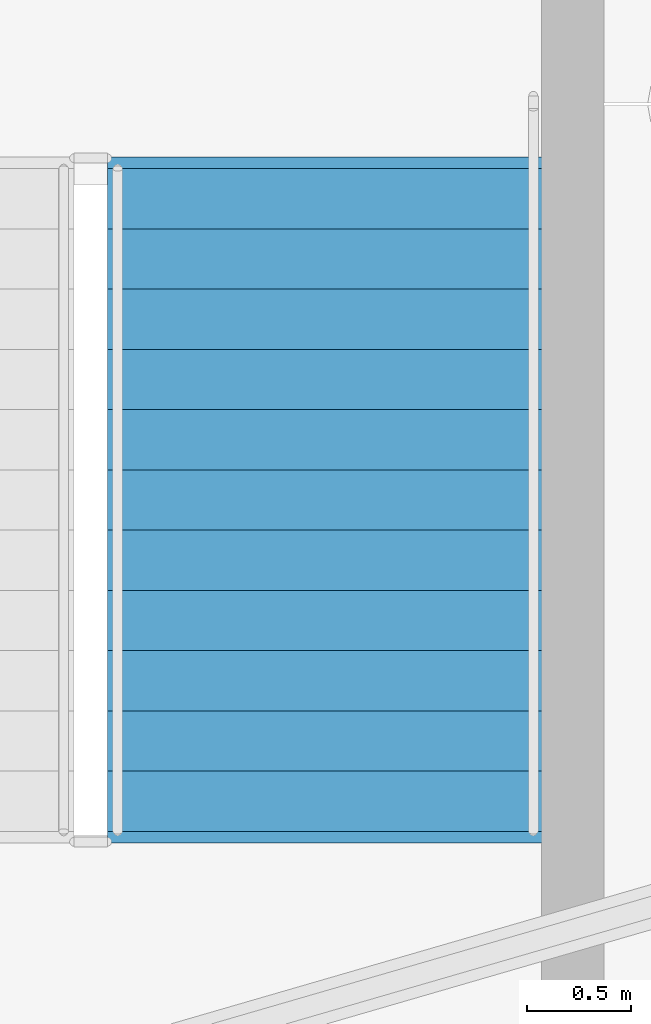
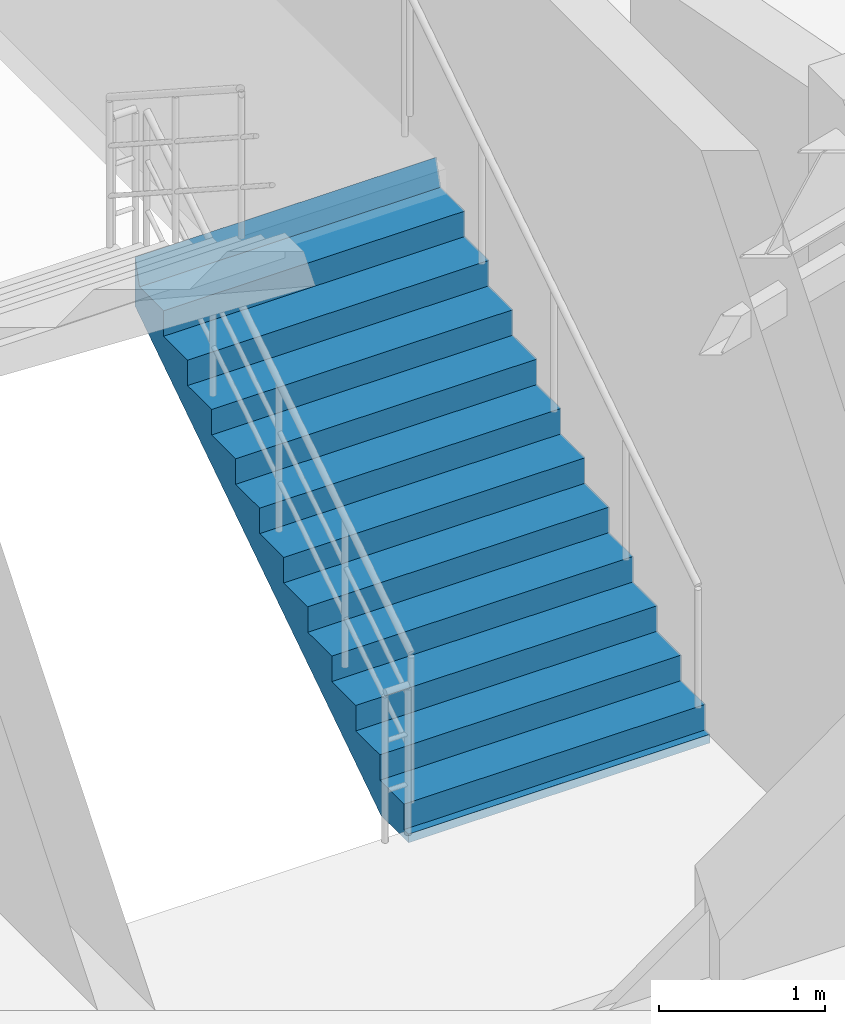
# One storey, part 95 of 112: 1 stair flight, 1 element without a shape of its own.
"""IFC4 building model written with IfcOpenShell, lengths in metres."""

from ifc_helpers import new_model, si_unit, direction, frame, origin, place, context, subcontext, project, spatial, polyline, outline, extrude, material, type_object, element, aggregate, save


model = new_model("IFC4")

# Units and contexts
model_context = context("Model", 3, precision=1e-05, world=origin(), true_north=direction((0.0, 1.0)))
body_context = subcontext(model_context, "Body", "Model", "MODEL_VIEW")
ifc_project = project(units=[si_unit("LENGTHUNIT", "METRE"), si_unit("AREAUNIT", "SQUARE_METRE"), si_unit("VOLUMEUNIT", "CUBIC_METRE"), si_unit("PLANEANGLEUNIT", "RADIAN"), si_unit("MASSUNIT", "GRAM", prefix="KILO")], contexts=[model_context])

# Site, building, storey
site_placement = place(None, origin())
site = spatial("IfcSite", under=ifc_project, at=site_placement, CompositionType="ELEMENT")
building_placement = place(site_placement, origin())
building = spatial("IfcBuilding", under=site, at=building_placement, Name="Cinderbank Siding Concert Hall", CompositionType="ELEMENT")
storey_placement = place(building_placement, frame((0.0, 0.0, 10.199951171875)))
storey = spatial("IfcBuildingStorey", under=building, at=storey_placement, Name="L03", CompositionType="ELEMENT", Elevation=10.199951171875)

# Stair, stair flight
ifc_material = material(Name="Reinforced concrete AS 3600 N50 (50 MPa)", Category="concrete")
stair_type = type_object("IfcStairType", Name="STR-D Dogleg Exit Stair 2100mm", PredefinedType="HALF_TURN_STAIR", material=ifc_material)
stair_placement = place(storey_placement, origin())
stair = element("IfcStair", 1, at=stair_placement, inside=storey, type_object=stair_type, Name="L03 West Drum Exit Stair ST-04", PredefinedType="HALF_TURN_STAIR")
stair_flight_type = type_object("IfcStairFlightType", Name="SFL-D Concrete Stair Flight 2100mm", PredefinedType="STRAIGHT", material=ifc_material)
stair_flight_placement = place(storey_placement, frame((100.85009765625, 40.5, 0.0), z_axis=(0.0, 0.0, 1.0), x_axis=(0.0, 1.0, 0.0)))
stair_flight = element("IfcStairFlight", 2, at=stair_flight_placement, type_object=stair_flight_type, Name="ST-04 flight 1", NumberOfRisers=12, NumberOfTreads=11, PredefinedType="STRAIGHT", RiserHeight=0.1875, TreadLength=0.29, context=body_context, shape_type="SweptSolid", body=[
    extrude(outline(polyline([(0.0, 0.0), (0.0, 0.1875), (0.2900390625, 0.1875), (0.2900390625, 0.375), (0.580078125, 0.375), (0.580078125, 0.5625), (0.8701171875, 0.5625), (0.8701171875, 0.75), (1.159912109375, 0.75), (1.159912109375, 0.9375), (1.449951171875, 0.9375), (1.449951171875, 1.125), (1.739990234375, 1.125), (1.739990234375, 1.3125), (2.030029296875, 1.3125), (2.030029296875, 1.5), (2.320068359375, 1.5), (2.320068359375, 1.6875), (2.610107421875, 1.6875), (2.610107421875, 1.875), (2.89990234375, 1.875), (2.89990234375, 2.0625), (3.18994140625, 2.0625), (3.244873046875, 2.25), (3.244873046875, 1.884033203125), (3.24462890625, 1.88427734375), (3.24462890625, 1.884521484375), (3.24462890625, 1.884765625), (3.24462890625, 1.885009765625), (3.24462890625, 1.88525390625), (3.24462890625, 1.885498046875), (3.24462890625, 1.8857421875), (3.24462890625, 1.885986328125), (3.24462890625, 1.88623046875), (3.24462890625, 1.886474609375), (3.24462890625, 1.88671875), (3.24462890625, 1.886962890625), (3.244384765625, 1.886962890625), (3.244384765625, 1.88671875), (3.244384765625, 1.886474609375), (3.244384765625, 1.88623046875), (3.244384765625, 1.885986328125), (3.244384765625, 1.8857421875), (3.244384765625, 1.885498046875), (3.244384765625, 1.88525390625), (3.244384765625, 1.885009765625), (3.244384765625, 1.884765625), (3.244384765625, 1.884521484375), (3.244384765625, 1.88427734375), (3.244384765625, 1.884033203125), (3.244140625, 1.88427734375), (3.244140625, 1.884521484375), (3.244140625, 1.884765625), (3.244140625, 1.885009765625), (3.244140625, 1.88525390625), (3.244140625, 1.885498046875), (3.244140625, 1.8857421875), (3.244140625, 1.885986328125), (3.244140625, 1.88623046875), (3.244140625, 1.886474609375), (3.244140625, 1.88671875), (3.244140625, 1.886962890625), (3.243896484375, 1.886962890625), (3.243896484375, 1.88671875), (3.243896484375, 1.886474609375), (3.243896484375, 1.88623046875), (3.243896484375, 1.885986328125), (3.243896484375, 1.8857421875), (3.243896484375, 1.885498046875), (3.243896484375, 1.88525390625), (3.243896484375, 1.885009765625), (3.243896484375, 1.884765625), (3.243896484375, 1.884521484375), (3.243896484375, 1.88427734375), (3.243896484375, 1.884033203125), (3.24365234375, 1.88427734375), (3.24365234375, 1.884521484375), (3.24365234375, 1.884765625), (3.24365234375, 1.885009765625), (3.24365234375, 1.88525390625), (3.24365234375, 1.885498046875), (3.24365234375, 1.8857421875), (3.24365234375, 1.885986328125), (3.24365234375, 1.88623046875), (3.24365234375, 1.886474609375), (3.24365234375, 1.88671875), (3.24365234375, 1.886962890625), (3.243408203125, 1.886962890625), (3.243408203125, 1.88671875), (3.243408203125, 1.886474609375), (3.243408203125, 1.88623046875), (3.243408203125, 1.885986328125), (3.243408203125, 1.8857421875), (3.243408203125, 1.885498046875), (3.243408203125, 1.88525390625), (3.243408203125, 1.885009765625), (3.243408203125, 1.884765625), (3.243408203125, 1.884521484375), (3.243408203125, 1.88427734375), (3.243408203125, 1.884033203125), (3.2431640625, 1.88427734375), (3.2431640625, 1.884521484375), (3.2431640625, 1.884765625), (3.2431640625, 1.885009765625), (3.2431640625, 1.88525390625), (3.2431640625, 1.885498046875), (3.2431640625, 1.8857421875), (3.2431640625, 1.885986328125), (3.2431640625, 1.88623046875), (3.2431640625, 1.886474609375), (3.2431640625, 1.88671875), (3.2431640625, 1.886962890625), (3.242919921875, 1.886962890625), (3.242919921875, 1.88671875), (3.242919921875, 1.886474609375), (3.242919921875, 1.88623046875), (3.242919921875, 1.885986328125), (3.242919921875, 1.8857421875), (3.242919921875, 1.885498046875), (3.242919921875, 1.88525390625), (3.242919921875, 1.885009765625), (3.242919921875, 1.884765625), (3.242919921875, 1.884521484375), (3.242919921875, 1.88427734375), (3.242919921875, 1.884033203125), (3.24267578125, 1.88427734375), (3.24267578125, 1.884521484375), (3.24267578125, 1.884765625), (3.24267578125, 1.885009765625), (3.24267578125, 1.88525390625), (3.24267578125, 1.885498046875), (3.24267578125, 1.8857421875), (3.24267578125, 1.885986328125), (3.24267578125, 1.88623046875), (3.24267578125, 1.886474609375), (3.24267578125, 1.88671875), (3.24267578125, 1.886962890625), (3.242431640625, 1.886962890625), (3.242431640625, 1.88671875), (3.242431640625, 1.886474609375), (3.242431640625, 1.88623046875), (3.242431640625, 1.885986328125), (3.242431640625, 1.8857421875), (3.242431640625, 1.885498046875), (3.242431640625, 1.88525390625), (3.242431640625, 1.885009765625), (3.242431640625, 1.884765625), (3.242431640625, 1.884521484375), (3.242431640625, 1.88427734375), (3.242431640625, 1.884033203125), (3.2421875, 1.88427734375), (3.2421875, 1.884521484375), (3.2421875, 1.884765625), (3.2421875, 1.885009765625), (3.2421875, 1.88525390625), (3.2421875, 1.885498046875), (3.2421875, 1.8857421875), (3.2421875, 1.885986328125), (3.2421875, 1.88623046875), (3.2421875, 1.886474609375), (3.2421875, 1.88671875), (3.2421875, 1.886962890625), (3.241943359375, 1.886962890625), (3.241943359375, 1.88671875), (3.241943359375, 1.886474609375), (3.241943359375, 1.88623046875), (3.241943359375, 1.885986328125), (3.241943359375, 1.8857421875), (3.241943359375, 1.885498046875), (3.241943359375, 1.88525390625), (3.241943359375, 1.885009765625), (3.241943359375, 1.884765625), (3.241943359375, 1.884521484375), (3.241943359375, 1.88427734375), (3.241943359375, 1.884033203125), (3.24169921875, 1.88427734375), (3.24169921875, 1.884521484375), (3.24169921875, 1.884765625), (3.24169921875, 1.885009765625), (3.24169921875, 1.88525390625), (3.24169921875, 1.885498046875), (3.24169921875, 1.8857421875), (3.24169921875, 1.885986328125), (3.24169921875, 1.88623046875), (3.24169921875, 1.886474609375), (3.24169921875, 1.88671875), (3.24169921875, 1.886962890625), (3.241455078125, 1.886962890625), (3.241455078125, 1.88671875), (3.241455078125, 1.886474609375), (3.241455078125, 1.88623046875), (3.241455078125, 1.885986328125), (3.241455078125, 1.8857421875), (3.241455078125, 1.885498046875), (3.241455078125, 1.88525390625), (3.241455078125, 1.885009765625), (3.241455078125, 1.884765625), (3.241455078125, 1.884521484375), (3.241455078125, 1.88427734375), (3.241455078125, 1.884033203125), (3.2412109375, 1.88427734375), (3.2412109375, 1.884521484375), (3.2412109375, 1.884765625), (3.2412109375, 1.885009765625), (3.2412109375, 1.88525390625), (3.2412109375, 1.885498046875), (3.2412109375, 1.8857421875), (3.2412109375, 1.885986328125), (3.2412109375, 1.88623046875), (3.2412109375, 1.886474609375), (3.2412109375, 1.88671875), (3.2412109375, 1.886962890625), (3.240966796875, 1.886962890625), (3.240966796875, 1.88671875), (3.240966796875, 1.886474609375), (3.240966796875, 1.88623046875), (3.240966796875, 1.885986328125), (3.240966796875, 1.8857421875), (3.240966796875, 1.885498046875), (3.240966796875, 1.88525390625), (3.240966796875, 1.885009765625), (3.240966796875, 1.884765625), (3.240966796875, 1.884521484375), (3.240966796875, 1.88427734375), (3.240966796875, 1.884033203125), (3.24072265625, 1.88427734375), (3.24072265625, 1.884521484375), (3.24072265625, 1.884765625), (3.24072265625, 1.885009765625), (3.24072265625, 1.88525390625), (3.24072265625, 1.885498046875), (3.24072265625, 1.8857421875), (3.24072265625, 1.885986328125), (3.24072265625, 1.88623046875), (3.24072265625, 1.886474609375), (3.24072265625, 1.88671875), (3.24072265625, 1.886962890625), (3.240478515625, 1.886962890625), (3.240478515625, 1.88671875), (3.240478515625, 1.886474609375), (3.240478515625, 1.88623046875), (3.240478515625, 1.885986328125), (3.240478515625, 1.8857421875), (3.240478515625, 1.885498046875), (3.240478515625, 1.88525390625), (3.240478515625, 1.885009765625), (3.240478515625, 1.884765625), (3.240478515625, 1.884521484375), (3.240478515625, 1.88427734375), (3.240478515625, 1.884033203125), (3.240234375, 1.88427734375), (3.240234375, 1.884521484375), (3.240234375, 1.884765625), (3.240234375, 1.885009765625), (3.240234375, 1.88525390625), (3.240234375, 1.885498046875), (3.240234375, 1.8857421875), (3.240234375, 1.885986328125), (3.240234375, 1.88623046875), (3.240234375, 1.886474609375), (3.240234375, 1.88671875), (3.240234375, 1.886962890625), (3.239990234375, 1.886962890625), (3.239990234375, 1.88671875), (3.239990234375, 1.886474609375), (3.239990234375, 1.88623046875), (3.239990234375, 1.885986328125), (3.239990234375, 1.8857421875), (3.239990234375, 1.885498046875), (3.239990234375, 1.88525390625), (3.239990234375, 1.885009765625), (3.239990234375, 1.884765625), (3.239990234375, 1.884521484375), (3.239990234375, 1.88427734375), (3.239990234375, 1.884033203125), (3.23974609375, 1.88427734375), (3.23974609375, 1.884521484375), (3.23974609375, 1.884765625), (3.23974609375, 1.885009765625), (3.23974609375, 1.88525390625), (3.23974609375, 1.885498046875), (3.23974609375, 1.8857421875), (3.23974609375, 1.885986328125), (3.23974609375, 1.88623046875), (3.23974609375, 1.886474609375), (3.23974609375, 1.88671875), (3.23974609375, 1.886962890625), (3.239501953125, 1.886962890625), (3.239501953125, 1.88671875), (3.239501953125, 1.886474609375), (3.239501953125, 1.88623046875), (3.239501953125, 1.885986328125), (3.239501953125, 1.8857421875), (3.239501953125, 1.885498046875), (3.239501953125, 1.88525390625), (3.239501953125, 1.885009765625), (3.239501953125, 1.884765625), (3.239501953125, 1.884521484375), (3.239501953125, 1.88427734375), (3.239501953125, 1.884033203125), (3.2392578125, 1.88427734375), (3.2392578125, 1.884521484375), (3.2392578125, 1.884765625), (3.2392578125, 1.885009765625), (3.2392578125, 1.88525390625), (3.2392578125, 1.885498046875), (3.2392578125, 1.8857421875), (3.2392578125, 1.885986328125), (3.2392578125, 1.88623046875), (3.2392578125, 1.886474609375), (3.2392578125, 1.88671875), (3.2392578125, 1.886962890625), (3.239013671875, 1.886962890625), (3.239013671875, 1.88671875), (3.239013671875, 1.886474609375), (3.239013671875, 1.88623046875), (3.239013671875, 1.885986328125), (3.239013671875, 1.8857421875), (3.239013671875, 1.885498046875), (3.239013671875, 1.88525390625), (3.239013671875, 1.885009765625), (3.239013671875, 1.884765625), (3.239013671875, 1.884521484375), (3.239013671875, 1.88427734375), (3.239013671875, 1.884033203125), (3.23876953125, 1.88427734375), (3.23876953125, 1.884521484375), (3.23876953125, 1.884765625), (3.23876953125, 1.885009765625), (3.23876953125, 1.88525390625), (3.23876953125, 1.885498046875), (3.23876953125, 1.8857421875), (3.23876953125, 1.885986328125), (3.23876953125, 1.88623046875), (3.23876953125, 1.886474609375), (3.23876953125, 1.88671875), (3.23876953125, 1.886962890625), (3.238525390625, 1.886962890625), (3.238525390625, 1.88671875), (3.238525390625, 1.886474609375), (3.238525390625, 1.88623046875), (3.238525390625, 1.885986328125), (3.238525390625, 1.8857421875), (3.238525390625, 1.885498046875), (3.238525390625, 1.88525390625), (3.238525390625, 1.885009765625), (3.238525390625, 1.884765625), (3.238525390625, 1.884521484375), (3.238525390625, 1.88427734375), (3.238525390625, 1.884033203125), (0.276123046875, -0.06396484375), (-0.048583984375, -0.063720703125), (-0.048583984375, -0.0634765625), (-0.048583984375, -0.063232421875), (-0.048583984375, -0.06298828125), (-0.048583984375, -0.062744140625), (-0.048583984375, -0.0625), (-0.048583984375, -0.062255859375), (-0.048583984375, -0.06201171875), (-0.048583984375, -0.061767578125), (-0.048583984375, -0.0615234375), (-0.048583984375, -0.061279296875), (-0.048583984375, -0.06103515625), (-0.048828125, -0.06103515625), (-0.048828125, -0.061279296875), (-0.048828125, -0.0615234375), (-0.048828125, -0.061767578125), (-0.048828125, -0.06201171875), (-0.048828125, -0.062255859375), (-0.048828125, -0.0625), (-0.048828125, -0.062744140625), (-0.048828125, -0.06298828125), (-0.048828125, -0.063232421875), (-0.048828125, -0.0634765625), (-0.048828125, -0.063720703125), (-0.048828125, -0.06396484375), (-0.049072265625, -0.063720703125), (-0.049072265625, -0.0634765625), (-0.049072265625, -0.063232421875), (-0.049072265625, -0.06298828125), (-0.049072265625, -0.062744140625), (-0.049072265625, -0.0625), (-0.049072265625, -0.062255859375), (-0.049072265625, -0.06201171875), (-0.049072265625, -0.061767578125), (-0.049072265625, -0.0615234375), (-0.049072265625, -0.061279296875), (-0.049072265625, -0.06103515625), (-0.04931640625, -0.06103515625), (-0.04931640625, -0.061279296875), (-0.04931640625, -0.0615234375), (-0.04931640625, -0.061767578125), (-0.04931640625, -0.06201171875), (-0.04931640625, -0.062255859375), (-0.04931640625, -0.0625), (-0.04931640625, -0.062744140625), (-0.04931640625, -0.06298828125), (-0.04931640625, -0.063232421875), (-0.04931640625, -0.0634765625), (-0.04931640625, -0.063720703125), (-0.04931640625, -0.06396484375), (-0.049560546875, -0.063720703125), (-0.049560546875, -0.0634765625), (-0.049560546875, -0.063232421875), (-0.049560546875, -0.06298828125), (-0.049560546875, -0.062744140625), (-0.049560546875, -0.0625), (-0.049560546875, -0.062255859375), (-0.049560546875, -0.06201171875), (-0.049560546875, -0.061767578125), (-0.049560546875, -0.0615234375), (-0.049560546875, -0.061279296875), (-0.049560546875, -0.06103515625), (-0.0498046875, -0.06103515625), (-0.0498046875, -0.061279296875), (-0.0498046875, -0.0615234375), (-0.0498046875, -0.061767578125), (-0.0498046875, -0.06201171875), (-0.0498046875, -0.062255859375), (-0.0498046875, -0.0625), (-0.0498046875, -0.062744140625), (-0.0498046875, -0.06298828125), (-0.0498046875, -0.063232421875), (-0.0498046875, -0.0634765625), (-0.0498046875, -0.063720703125), (-0.0498046875, -0.06396484375), (-0.050048828125, -0.063720703125), (-0.050048828125, -0.0634765625), (-0.050048828125, -0.063232421875), (-0.050048828125, -0.06298828125), (-0.050048828125, -0.062744140625), (-0.050048828125, -0.0625), (-0.050048828125, -0.062255859375), (-0.050048828125, -0.06201171875), (-0.050048828125, -0.061767578125), (-0.050048828125, -0.0615234375), (-0.050048828125, -0.061279296875), (-0.050048828125, -0.06103515625), (-0.05029296875, -0.06103515625), (-0.05029296875, -0.061279296875), (-0.05029296875, -0.0615234375), (-0.05029296875, -0.061767578125), (-0.05029296875, -0.06201171875), (-0.05029296875, -0.062255859375), (-0.05029296875, -0.0625), (-0.05029296875, -0.062744140625), (-0.05029296875, -0.06298828125), (-0.05029296875, -0.063232421875), (-0.05029296875, -0.0634765625), (-0.05029296875, -0.063720703125), (-0.05029296875, -0.06396484375), (-0.050537109375, -0.063720703125), (-0.050537109375, -0.0634765625), (-0.050537109375, -0.063232421875), (-0.050537109375, -0.06298828125), (-0.050537109375, -0.062744140625), (-0.050537109375, -0.0625), (-0.050537109375, -0.062255859375), (-0.050537109375, -0.06201171875), (-0.050537109375, -0.061767578125), (-0.050537109375, -0.0615234375), (-0.050537109375, -0.061279296875), (-0.050537109375, -0.06103515625), (-0.05078125, -0.06103515625), (-0.05078125, -0.061279296875), (-0.05078125, -0.0615234375), (-0.05078125, -0.061767578125), (-0.05078125, -0.06201171875), (-0.05078125, -0.062255859375), (-0.05078125, -0.0625), (-0.05078125, -0.062744140625), (-0.05078125, -0.06298828125), (-0.05078125, -0.063232421875), (-0.05078125, -0.0634765625), (-0.05078125, -0.063720703125), (-0.05078125, -0.06396484375), (-0.051025390625, -0.063720703125), (-0.051025390625, -0.0634765625), (-0.051025390625, -0.063232421875), (-0.051025390625, -0.06298828125), (-0.051025390625, -0.062744140625), (-0.051025390625, -0.0625), (-0.051025390625, -0.062255859375), (-0.051025390625, -0.06201171875), (-0.051025390625, -0.061767578125), (-0.051025390625, -0.0615234375), (-0.051025390625, -0.061279296875), (-0.051025390625, -0.06103515625), (-0.05126953125, -0.06103515625), (-0.05126953125, -0.061279296875), (-0.05126953125, -0.0615234375), (-0.05126953125, -0.061767578125), (-0.05126953125, -0.06201171875), (-0.05126953125, -0.062255859375), (-0.05126953125, -0.0625), (-0.05126953125, -0.062744140625), (-0.05126953125, -0.06298828125), (-0.05126953125, -0.063232421875), (-0.05126953125, -0.0634765625), (-0.05126953125, -0.063720703125), (-0.05126953125, -0.06396484375), (-0.051513671875, -0.063720703125), (-0.051513671875, -0.0634765625), (-0.051513671875, -0.063232421875), (-0.051513671875, -0.06298828125), (-0.051513671875, -0.062744140625), (-0.051513671875, -0.0625), (-0.051513671875, -0.062255859375), (-0.051513671875, -0.06201171875), (-0.051513671875, -0.061767578125), (-0.051513671875, -0.0615234375), (-0.051513671875, -0.061279296875), (-0.051513671875, -0.06103515625), (-0.0517578125, -0.06103515625), (-0.0517578125, -0.061279296875), (-0.0517578125, -0.0615234375), (-0.0517578125, -0.061767578125), (-0.0517578125, -0.06201171875), (-0.0517578125, -0.062255859375), (-0.0517578125, -0.0625), (-0.0517578125, -0.062744140625), (-0.0517578125, -0.06298828125), (-0.0517578125, -0.063232421875), (-0.0517578125, -0.0634765625), (-0.0517578125, -0.063720703125), (-0.0517578125, -0.06396484375), (-0.052001953125, -0.063720703125), (-0.052001953125, -0.0634765625), (-0.052001953125, -0.063232421875), (-0.052001953125, -0.06298828125), (-0.052001953125, -0.062744140625), (-0.052001953125, -0.0625), (-0.052001953125, -0.062255859375), (-0.052001953125, -0.06201171875), (-0.052001953125, -0.061767578125), (-0.052001953125, -0.0615234375), (-0.052001953125, -0.061279296875), (-0.052001953125, -0.06103515625), (-0.05224609375, -0.06103515625), (-0.05224609375, -0.061279296875), (-0.05224609375, -0.0615234375), (-0.05224609375, -0.061767578125), (-0.05224609375, -0.06201171875), (-0.05224609375, -0.062255859375), (-0.05224609375, -0.0625), (-0.05224609375, -0.062744140625), (-0.05224609375, -0.06298828125), (-0.05224609375, -0.063232421875), (-0.05224609375, -0.0634765625), (-0.05224609375, -0.063720703125), (-0.05224609375, -0.06396484375), (-0.052490234375, -0.063720703125), (-0.052490234375, -0.0634765625), (-0.052490234375, -0.063232421875), (-0.052490234375, -0.06298828125), (-0.052490234375, -0.062744140625), (-0.052490234375, -0.0625), (-0.052490234375, -0.062255859375), (-0.052490234375, -0.06201171875), (-0.052490234375, -0.061767578125), (-0.052490234375, -0.0615234375), (-0.052490234375, -0.061279296875), (-0.052490234375, -0.06103515625), (-0.052734375, -0.06103515625), (-0.052734375, -0.061279296875), (-0.052734375, -0.0615234375), (-0.052734375, -0.061767578125), (-0.052734375, -0.06201171875), (-0.052734375, -0.062255859375), (-0.052734375, -0.0625), (-0.052734375, -0.062744140625), (-0.052734375, -0.06298828125), (-0.052734375, -0.063232421875), (-0.052734375, -0.0634765625), (-0.052734375, -0.063720703125), (-0.052734375, -0.06396484375), (-0.052978515625, -0.063720703125), (-0.052978515625, -0.0634765625), (-0.052978515625, -0.063232421875), (-0.052978515625, -0.06298828125), (-0.052978515625, -0.062744140625), (-0.052978515625, -0.0625), (-0.052978515625, -0.062255859375), (-0.052978515625, -0.06201171875), (-0.052978515625, -0.061767578125), (-0.052978515625, -0.0615234375), (-0.052978515625, -0.061279296875), (-0.052978515625, -0.06103515625), (-0.05322265625, -0.06103515625), (-0.05322265625, -0.061279296875), (-0.05322265625, -0.0615234375), (-0.05322265625, -0.061767578125), (-0.05322265625, -0.06201171875), (-0.05322265625, -0.062255859375), (-0.05322265625, -0.0625), (-0.05322265625, -0.062744140625), (-0.05322265625, -0.06298828125), (-0.05322265625, -0.063232421875), (-0.05322265625, -0.0634765625), (-0.05322265625, -0.063720703125), (-0.05322265625, -0.06396484375), (-0.053466796875, -0.063720703125), (-0.053466796875, -0.0634765625), (-0.053466796875, -0.063232421875), (-0.053466796875, -0.06298828125), (-0.053466796875, -0.062744140625), (-0.053466796875, -0.0625), (-0.053466796875, -0.062255859375), (-0.053466796875, -0.06201171875), (-0.053466796875, -0.061767578125), (-0.053466796875, -0.0615234375), (-0.053466796875, -0.061279296875), (-0.053466796875, -0.06103515625), (-0.0537109375, -0.06103515625), (-0.0537109375, -0.061279296875), (-0.0537109375, -0.0615234375), (-0.0537109375, -0.061767578125), (-0.0537109375, -0.06201171875), (-0.0537109375, -0.062255859375), (-0.0537109375, -0.0625), (-0.0537109375, -0.062744140625), (-0.0537109375, -0.06298828125), (-0.0537109375, -0.063232421875), (-0.0537109375, -0.0634765625), (-0.0537109375, -0.063720703125), (-0.0537109375, -0.06396484375), (-0.053955078125, -0.063720703125), (-0.053955078125, -0.0634765625), (-0.053955078125, -0.063232421875), (-0.053955078125, -0.06298828125), (-0.053955078125, -0.062744140625), (-0.053955078125, -0.0625), (-0.053955078125, -0.062255859375), (-0.053955078125, -0.06201171875), (-0.053955078125, -0.061767578125), (-0.053955078125, -0.0615234375), (-0.053955078125, -0.061279296875), (-0.053955078125, -0.06103515625), (-0.05419921875, -0.06103515625), (-0.05419921875, -0.061279296875), (-0.05419921875, -0.0615234375), (-0.05419921875, -0.061767578125), (-0.05419921875, -0.06201171875), (-0.05419921875, -0.062255859375), (-0.05419921875, -0.0625), (-0.05419921875, -0.062744140625), (-0.05419921875, -0.06298828125), (-0.05419921875, -0.063232421875), (-0.05419921875, -0.0634765625), (-0.05419921875, -0.063720703125), (-0.05419921875, -0.06396484375), (-0.054443359375, -0.063720703125), (-0.054443359375, -0.0634765625), (-0.054443359375, -0.063232421875), (-0.054443359375, -0.06298828125), (-0.054443359375, -0.062744140625), (-0.054443359375, -0.0625), (-0.054443359375, -0.062255859375), (-0.054443359375, -0.06201171875), (-0.054443359375, -0.061767578125), (-0.054443359375, -0.0615234375), (-0.054443359375, -0.061279296875), (-0.054443359375, -0.06103515625), (-0.0546875, -0.06103515625), (-0.0546875, -0.061279296875), (-0.0546875, -0.0615234375), (-0.0546875, -0.061767578125), (-0.0546875, -0.06201171875), (-0.0546875, -0.062255859375), (-0.0546875, -0.0625), (-0.0546875, -0.062744140625), (-0.0546875, -0.06298828125), (-0.0546875, -0.063232421875), (-0.0546875, -0.0634765625), (-0.0546875, -0.063720703125), (-0.0546875, -0.06396484375), (-0.054931640625, -0.06396484375), (-0.054931640625, 0.0), (0.0, 0.0)])), frame((0.0, 1.050048828125, 0.0), z_axis=(0.0, -1.0, 0.0), x_axis=(1.0, 0.0, 0.0)), (0.0, 0.0, 1.0), 2.10009765625),
])
aggregate(stair, [stair_flight])

save(model, "model.ifc")
